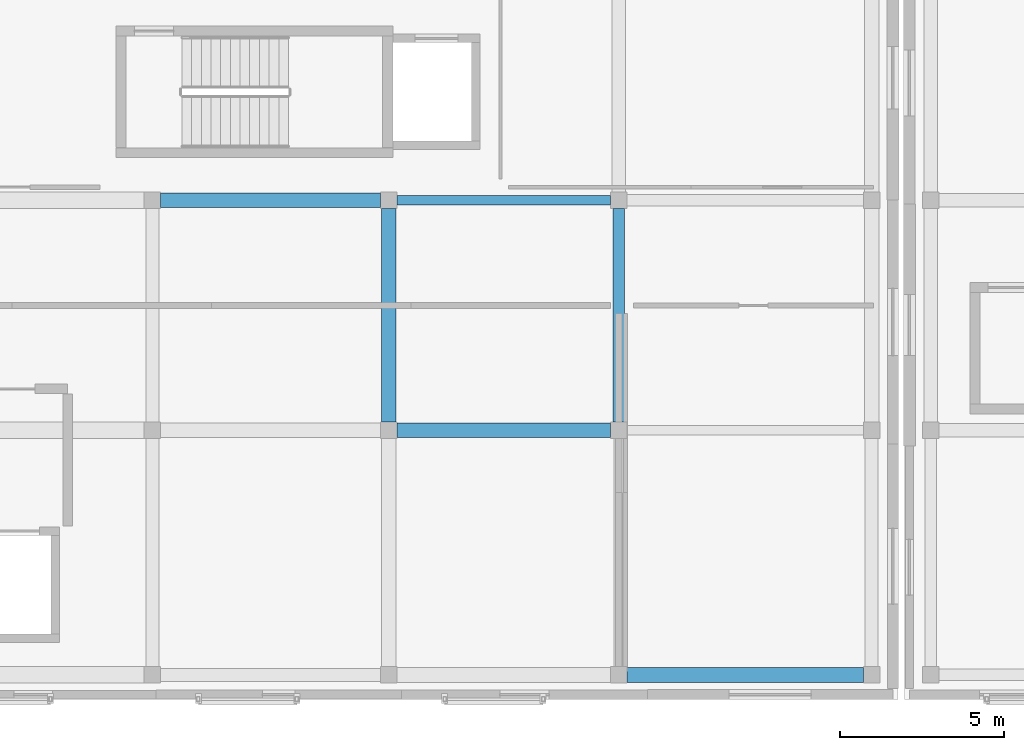
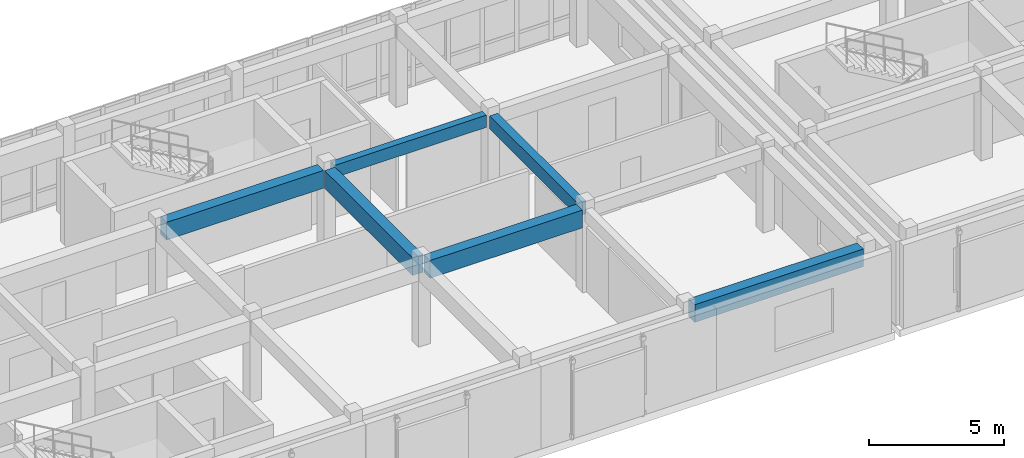
# One storey, part 25 of 91: 6 beams.
"""IFC4 building model written with IfcOpenShell, lengths in metres."""

from ifc_helpers import new_model, si_unit, direction, frame, origin, origin_2d, place, context, subcontext, project, spatial, rectangle, extrude, material, material_profile, profile_set, type_object, element, save


model = new_model("IFC4")

# Units and contexts
model_context = context("Model", 3, precision=1e-05, world=origin(), true_north=direction((0.0, 1.0)))
body_context = subcontext(model_context, "Body", "Model", "MODEL_VIEW")
ifc_project = project(units=[si_unit("LENGTHUNIT", "METRE"), si_unit("AREAUNIT", "SQUARE_METRE"), si_unit("VOLUMEUNIT", "CUBIC_METRE"), si_unit("PLANEANGLEUNIT", "RADIAN"), si_unit("MASSUNIT", "GRAM", prefix="KILO")], contexts=[model_context])

# Site, building, storey
site_placement = place(None, origin())
site = spatial("IfcSite", under=ifc_project, at=site_placement, CompositionType="ELEMENT")
building_placement = place(site_placement, origin())
building = spatial("IfcBuilding", under=site, at=building_placement, Name="Valcora Specialist Clinic", CompositionType="ELEMENT")
storey_placement = place(building_placement, frame((0.0, 0.0, 13.60009765625)))
storey = spatial("IfcBuildingStorey", under=building, at=storey_placement, Name="L03", CompositionType="ELEMENT", Elevation=13.60009765625)

# Beams
ifc_material = material(Name="Concrete C40/50", Category="concrete")
ifc_material_profile_1 = material_profile(ifc_material, rectangle(XDim=0.300048828125, YDim=0.550048828125, at=origin_2d()), Name="RC-BM-300X550")
ifc_profile_set_1 = profile_set([ifc_material_profile_1], Name="Concrete C40/50")
beam_type_1 = type_object("IfcBeamType", Name="TY-BM-RC300X550", PredefinedType="BEAM", material=ifc_profile_set_1)
beam_1_placement = place(storey_placement, frame((38.050048828125, 15.199951171875, 3.44482421875), z_axis=(1.0, 0.0, 0.0), x_axis=(0.0, 1.0, 0.0)))
element("IfcBeam", 1, at=beam_1_placement, inside=storey, type_object=beam_type_1, Name="Beam BM-L03-1045", PredefinedType="BEAM", context=body_context, shape_type="SweptSolid", body=[
    extrude(rectangle(XDim=0.300048828125, YDim=0.550048828125, at=origin_2d()), origin(), (0.0, 0.0, 1.0), 6.5),
])
ifc_material_profile_2 = material_profile(ifc_material, rectangle(XDim=0.35009765625, YDim=0.60009765625, at=origin_2d()), Name="RC-BM-350X600")
ifc_profile_set_2 = profile_set([ifc_material_profile_2], Name="Concrete C40/50")
beam_type_2 = type_object("IfcBeamType", Name="TY-BM-RC350X600", PredefinedType="BEAM", material=ifc_profile_set_2)
beam_2_placement = place(storey_placement, frame((44.800048828125, 8.449951171875, 3.419921875), z_axis=(0.0, 1.0, 0.0), x_axis=(-1.0, 0.0, 0.0)))
element("IfcBeam", 2, at=beam_2_placement, inside=storey, type_object=beam_type_2, Name="Beam BM-L03-1068", PredefinedType="BEAM", context=body_context, shape_type="SweptSolid", body=[
    extrude(rectangle(XDim=0.35009765625, YDim=0.60009765625, at=origin_2d()), origin(), (0.0, 0.0, 1.0), 6.5),
])
ifc_material_profile_3 = material_profile(ifc_material, rectangle(XDim=0.449951171875, YDim=0.800048828125, at=origin_2d()), Name="RC-BM-450X800")
ifc_profile_set_3 = profile_set([ifc_material_profile_3], Name="Concrete C40/50")
beam_type_3 = type_object("IfcBeamType", Name="TY-BM-RC450X800", PredefinedType="BEAM", material=ifc_profile_set_3)
beam_3_placement = place(storey_placement, frame((45.050048828125, 0.75, 3.39501953125), z_axis=(1.0, 0.0, 0.0), x_axis=(0.0, 1.0, 0.0)))
element("IfcBeam", 3, at=beam_3_placement, inside=storey, type_object=beam_type_3, Name="Beam BM-L03-1032", PredefinedType="BEAM", context=body_context, shape_type="SweptSolid", body=[
    extrude(rectangle(XDim=0.449951171875, YDim=0.800048828125, at=origin_2d()), origin(), (0.0, 0.0, 1.0), 7.199951171875),
])
beam_4_placement = place(storey_placement, frame((38.050048828125, 8.199951171875, 3.31982421875), z_axis=(1.0, 0.0, 0.0), x_axis=(0.0, 1.0, 0.0)))
element("IfcBeam", 4, at=beam_4_placement, inside=storey, type_object=beam_type_3, Name="Beam BM-L03-1038", PredefinedType="BEAM", context=body_context, shape_type="SweptSolid", body=[
    extrude(rectangle(XDim=0.449951171875, YDim=0.800048828125, at=origin_2d()), origin(), (0.0, 0.0, 1.0), 6.5),
])
beam_5_placement = place(storey_placement, frame((30.85009765625, 15.199951171875, 3.31982421875), z_axis=(1.0, 0.0, 0.0), x_axis=(0.0, 1.0, 0.0)))
element("IfcBeam", 5, at=beam_5_placement, inside=storey, type_object=beam_type_3, Name="Beam BM-L03-1044", PredefinedType="BEAM", context=body_context, shape_type="SweptSolid", body=[
    extrude(rectangle(XDim=0.449951171875, YDim=0.800048828125, at=origin_2d()), origin(), (0.0, 0.0, 1.0), 6.699951171875),
])
beam_6_placement = place(storey_placement, frame((37.800048828125, 8.449951171875, 3.31982421875), z_axis=(0.0, 1.0, 0.0), x_axis=(-1.0, 0.0, 0.0)))
element("IfcBeam", 6, at=beam_6_placement, inside=storey, type_object=beam_type_3, Name="Beam BM-L03-1066", PredefinedType="BEAM", context=body_context, shape_type="SweptSolid", body=[
    extrude(rectangle(XDim=0.449951171875, YDim=0.800048828125, at=origin_2d()), origin(), (0.0, 0.0, 1.0), 6.5),
])

save(model, "model.ifc")
